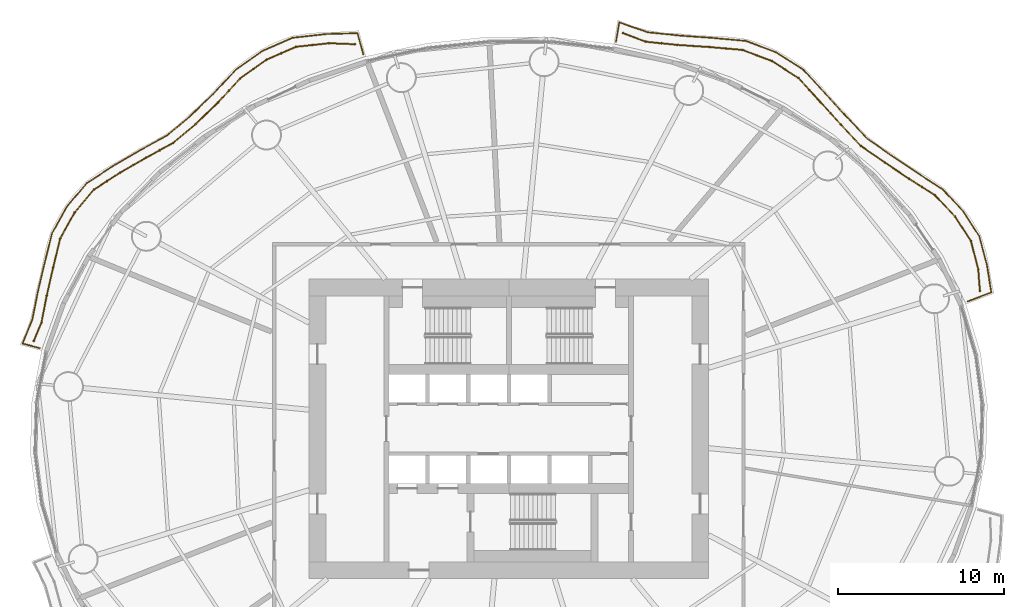
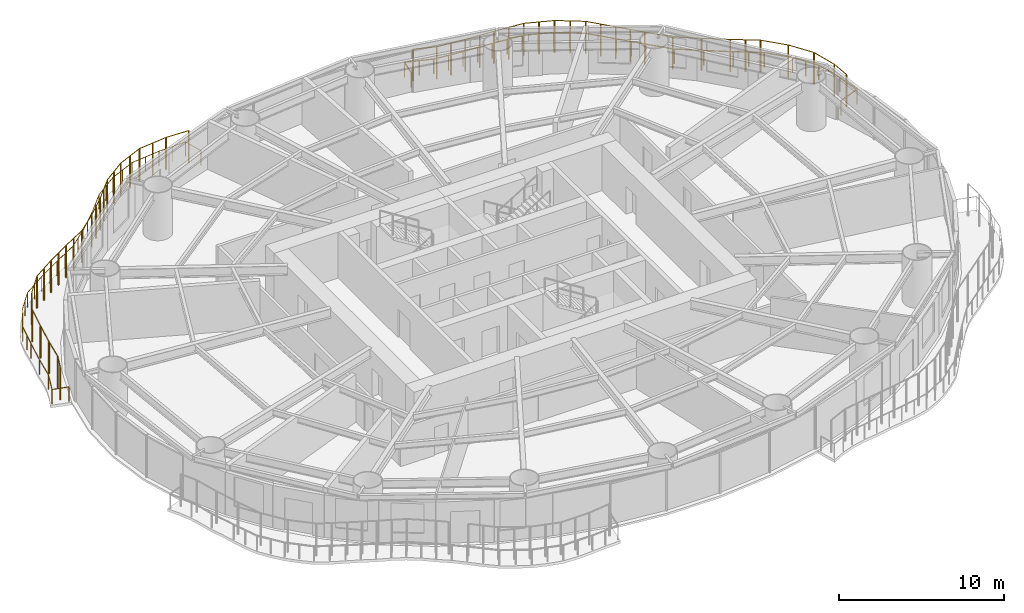
# One storey, part 16 of 16: 4 railings.
"""IFC4 building model written with IfcOpenShell, lengths in metres."""

from ifc_helpers import new_model, si_unit, direction, frame, origin, origin_2d, place, context, subcontext, project, spatial, circle, extrude, material, type_object, element, save


model = new_model("IFC4")

# Units and contexts
model_context = context("Model", 3, precision=1e-05, world=origin(), true_north=direction((0.0, 1.0)))
body_context = subcontext(model_context, "Body", "Model", "MODEL_VIEW")
ifc_project = project(units=[si_unit("LENGTHUNIT", "METRE"), si_unit("AREAUNIT", "SQUARE_METRE"), si_unit("VOLUMEUNIT", "CUBIC_METRE"), si_unit("PLANEANGLEUNIT", "RADIAN"), si_unit("MASSUNIT", "GRAM", prefix="KILO")], contexts=[model_context])

# Site, building, storey
site_placement = place(None, origin())
site = spatial("IfcSite", under=ifc_project, at=site_placement, CompositionType="ELEMENT")
building_placement = place(site_placement, origin())
building = spatial("IfcBuilding", under=site, at=building_placement, Name="Vermilion Reach Broadcast Tower", CompositionType="ELEMENT")
storey_placement = place(building_placement, frame((0.0, 0.0, 47.10009765625)))
storey = spatial("IfcBuildingStorey", under=building, at=storey_placement, Name="L08", CompositionType="ELEMENT", Elevation=47.10009765625)

# Railings
ifc_material_1 = material(Name="Terracotta baguette", Category="masonry")
railing_type_1 = type_object("IfcRailingType", Name="BAGUETTE SCREEN", PredefinedType="USERDEFINED", material=ifc_material_1)
railing_1_placement = place(storey_placement, frame((22.305419921875, 8.29638671875, 0.0)))
element("IfcRailing", 1, at=railing_1_placement, inside=storey, type_object=railing_type_1, Name="Baguette screen L08 group 1", ObjectType="BAGUETTE SCREEN", PredefinedType="USERDEFINED", context=body_context, shape_type="SweptSolid", body=[
    extrude(circle(Radius=0.030029296875, at=origin_2d()), frame((0.0, 0.0, 2.369873046875), z_axis=(-0.07565113169, 0.997134347154, 0.0), x_axis=(-0.997134347154, -0.07565113169, 0.0)), (0.0, 0.0, 1.0), 1.3037109375),
    extrude(circle(Radius=0.030029296875, at=origin_2d()), frame((-0.0986328125, 1.300048828125, 2.369873046875), z_axis=(-0.251957201458, 0.967738378196, 0.0), x_axis=(-0.967738378196, -0.251957201458, 0.0)), (0.0, 0.0, 1.0), 1.75390625),
    extrude(circle(Radius=0.030029296875, at=origin_2d()), frame((-0.54052734375, 2.997314453125, 2.369873046875), z_axis=(-0.544558475774, 0.838722878228, 0.0), x_axis=(-0.838722878228, -0.544558475774, 0.0)), (0.0, 0.0, 1.0), 1.757080078125),
    extrude(circle(Radius=0.030029296875, at=origin_2d()), frame((-1.497314453125, 4.470947265625, 2.369873046875), z_axis=(-0.686439750676, 0.727186680771, 0.0), x_axis=(-0.727186680771, -0.686439750676, 0.0)), (0.0, 0.0, 1.0), 1.755615234375),
    extrude(circle(Radius=0.030029296875, at=origin_2d()), frame((-2.702392578125, 5.74755859375, 2.369873046875), z_axis=(-0.842290708412, 0.539023526873, 0.0), x_axis=(-0.539023526873, -0.842290708412, 0.0)), (0.0, 0.0, 1.0), 1.837158203125),
    extrude(circle(Radius=0.030029296875, at=origin_2d()), frame((-4.249755859375, 6.73779296875, 2.369873046875), z_axis=(-0.83160133944, 0.555373038814, 0.0), x_axis=(-0.555373038814, -0.83160133944, 0.0)), (0.0, 0.0, 1.0), 1.758056640625),
    extrude(circle(Radius=0.030029296875, at=origin_2d()), frame((-5.711669921875, 7.714111328125, 2.369873046875), z_axis=(-0.821816627146, 0.569752078844, 0.0), x_axis=(-0.569752078844, -0.821816627146, 0.0)), (0.0, 0.0, 1.0), 1.756103515625),
    extrude(circle(Radius=0.030029296875, at=origin_2d()), frame((-7.15478515625, 8.714599609375, 2.369873046875), z_axis=(-0.684273345401, 0.729225608967, 0.0), x_axis=(-0.729225608967, -0.684273345401, 0.0)), (0.0, 0.0, 1.0), 1.759765625),
    extrude(circle(Radius=0.030029296875, at=origin_2d()), frame((-8.35888671875, 9.997802734375, 2.369873046875), z_axis=(-0.673282109169, 0.739385691959, 0.0), x_axis=(-0.739385691959, -0.673282109169, 0.0)), (0.0, 0.0, 1.0), 1.85400390625),
    extrude(circle(Radius=0.030029296875, at=origin_2d()), frame((-9.607177734375, 11.36865234375, 2.369873046875), z_axis=(-0.673669790905, 0.739032484281, 0.0), x_axis=(-0.739032484281, -0.673669790905, 0.0)), (0.0, 0.0, 1.0), 1.912353515625),
    extrude(circle(Radius=0.030029296875, at=origin_2d()), frame((-10.8955078125, 12.781982421875, 2.369873046875), z_axis=(-0.841011817802, 0.541016748647, 0.0), x_axis=(-0.541016748647, -0.841011817802, 0.0)), (0.0, 0.0, 1.0), 1.904296875),
    extrude(circle(Radius=0.030029296875, at=origin_2d()), frame((-12.4970703125, 13.812255859375, 2.369873046875), z_axis=(-0.935661063302, 0.352899949873, 0.0), x_axis=(-0.352899949873, -0.935661063302, 0.0)), (0.0, 0.0, 1.0), 1.89697265625),
    extrude(circle(Radius=0.030029296875, at=origin_2d()), frame((-14.27197265625, 14.481689453125, 2.369873046875), z_axis=(-0.996346350289, 0.085404626721, 0.0), x_axis=(-0.085404626721, -0.996346350289, 0.0)), (0.0, 0.0, 1.0), 1.98681640625),
    extrude(circle(Radius=0.030029296875, at=origin_2d()), frame((-16.25146484375, 14.6513671875, 2.369873046875), z_axis=(-0.99775152211, 0.067021639246, 0.0), x_axis=(-0.067021639246, -0.99775152211, 0.0)), (0.0, 0.0, 1.0), 1.934326171875),
    extrude(circle(Radius=0.030029296875, at=origin_2d()), frame((-18.181396484375, 14.781005859375, 2.369873046875), z_axis=(-0.994986411684, 0.100010202305, 0.0), x_axis=(-0.100010202305, -0.994986411684, 0.0)), (0.0, 0.0, 1.0), 1.908935546875),
    extrude(circle(Radius=0.030029296875, at=origin_2d()), frame((-20.080810546875, 14.971923828125, 2.369873046875), z_axis=(-0.935271265318, 0.35393171696, 0.0), x_axis=(-0.35393171696, -0.935271265318, 0.0)), (0.0, 0.0, 1.0), 1.456787109375),
    extrude(circle(Radius=0.050048828125, at=origin_2d()), origin(), (0.0, 0.0, 1.0), 2.33984375),
    extrude(circle(Radius=0.050048828125, at=origin_2d()), frame((-0.0986328125, 1.300048828125, 0.0)), (0.0, 0.0, 1.0), 2.33984375),
    extrude(circle(Radius=0.050048828125, at=origin_2d()), frame((-0.54052734375, 2.997314453125, 0.0)), (0.0, 0.0, 1.0), 2.33984375),
    extrude(circle(Radius=0.050048828125, at=origin_2d()), frame((-1.497314453125, 4.470947265625, 0.0)), (0.0, 0.0, 1.0), 2.33984375),
    extrude(circle(Radius=0.050048828125, at=origin_2d()), frame((-2.702392578125, 5.74755859375, 0.0)), (0.0, 0.0, 1.0), 2.33984375),
    extrude(circle(Radius=0.050048828125, at=origin_2d()), frame((-3.47607421875, 6.24267578125, 0.0)), (0.0, 0.0, 1.0), 2.33984375),
    extrude(circle(Radius=0.050048828125, at=origin_2d()), frame((-4.249755859375, 6.73779296875, 0.0)), (0.0, 0.0, 1.0), 2.33984375),
    extrude(circle(Radius=0.050048828125, at=origin_2d()), frame((-5.711669921875, 7.714111328125, 0.0)), (0.0, 0.0, 1.0), 2.33984375),
    extrude(circle(Radius=0.050048828125, at=origin_2d()), frame((-7.15478515625, 8.714599609375, 0.0)), (0.0, 0.0, 1.0), 2.33984375),
    extrude(circle(Radius=0.050048828125, at=origin_2d()), frame((-8.35888671875, 9.997802734375, 0.0)), (0.0, 0.0, 1.0), 2.33984375),
    extrude(circle(Radius=0.050048828125, at=origin_2d()), frame((-8.98291015625, 10.68310546875, 0.0)), (0.0, 0.0, 1.0), 2.33984375),
    extrude(circle(Radius=0.050048828125, at=origin_2d()), frame((-9.607177734375, 11.36865234375, 0.0)), (0.0, 0.0, 1.0), 2.33984375),
    extrude(circle(Radius=0.050048828125, at=origin_2d()), frame((-10.25146484375, 12.0751953125, 0.0)), (0.0, 0.0, 1.0), 2.33984375),
    extrude(circle(Radius=0.050048828125, at=origin_2d()), frame((-10.8955078125, 12.781982421875, 0.0)), (0.0, 0.0, 1.0), 2.33984375),
    extrude(circle(Radius=0.050048828125, at=origin_2d()), frame((-11.6962890625, 13.297119140625, 0.0)), (0.0, 0.0, 1.0), 2.33984375),
    extrude(circle(Radius=0.050048828125, at=origin_2d()), frame((-12.4970703125, 13.812255859375, 0.0)), (0.0, 0.0, 1.0), 2.33984375),
    extrude(circle(Radius=0.050048828125, at=origin_2d()), frame((-13.384521484375, 14.14697265625, 0.0)), (0.0, 0.0, 1.0), 2.33984375),
    extrude(circle(Radius=0.050048828125, at=origin_2d()), frame((-14.27197265625, 14.481689453125, 0.0)), (0.0, 0.0, 1.0), 2.33984375),
    extrude(circle(Radius=0.050048828125, at=origin_2d()), frame((-15.26171875, 14.56640625, 0.0)), (0.0, 0.0, 1.0), 2.33984375),
    extrude(circle(Radius=0.050048828125, at=origin_2d()), frame((-16.25146484375, 14.6513671875, 0.0)), (0.0, 0.0, 1.0), 2.33984375),
    extrude(circle(Radius=0.050048828125, at=origin_2d()), frame((-17.21630859375, 14.71630859375, 0.0)), (0.0, 0.0, 1.0), 2.33984375),
    extrude(circle(Radius=0.050048828125, at=origin_2d()), frame((-18.181396484375, 14.781005859375, 0.0)), (0.0, 0.0, 1.0), 2.33984375),
    extrude(circle(Radius=0.050048828125, at=origin_2d()), frame((-19.131103515625, 14.87646484375, 0.0)), (0.0, 0.0, 1.0), 2.33984375),
    extrude(circle(Radius=0.050048828125, at=origin_2d()), frame((-20.080810546875, 14.971923828125, 0.0)), (0.0, 0.0, 1.0), 2.33984375),
    extrude(circle(Radius=0.050048828125, at=origin_2d()), frame((-21.443359375, 15.487548828125, 0.0)), (0.0, 0.0, 1.0), 2.33984375),
])
railing_2_placement = place(storey_placement, frame((-15.253662109375, 23.118408203125, 0.0)))
element("IfcRailing", 2, at=railing_2_placement, inside=storey, type_object=railing_type_1, Name="Baguette screen L08 group 2", ObjectType="BAGUETTE SCREEN", PredefinedType="USERDEFINED", context=body_context, shape_type="SweptSolid", body=[
    extrude(circle(Radius=0.030029296875, at=origin_2d()), frame((0.0, 0.0, 2.369873046875), z_axis=(-0.999278984221, 0.037967245026, 0.0), x_axis=(-0.037967245026, -0.999278984221, 0.0)), (0.0, 0.0, 1.0), 1.5498046875),
    extrude(circle(Radius=0.030029296875, at=origin_2d()), frame((-1.548583984375, 0.058837890625, 2.369873046875), z_axis=(-0.99421373636, -0.10741995361, 0.0), x_axis=(0.10741995361, -0.99421373636, 0.0)), (0.0, 0.0, 1.0), 2.002197265625),
    extrude(circle(Radius=0.030029296875, at=origin_2d()), frame((-3.539306640625, -0.15625, 2.369873046875), z_axis=(-0.916058492301, -0.401044684147, 0.0), x_axis=(0.401044684147, -0.916058492301, 0.0)), (0.0, 0.0, 1.0), 1.927978515625),
    extrude(circle(Radius=0.030029296875, at=origin_2d()), frame((-5.305419921875, -0.929443359375, 2.369873046875), z_axis=(-0.815256799121, -0.579099604116, 0.0), x_axis=(0.579099604116, -0.815256799121, 0.0)), (0.0, 0.0, 1.0), 1.945556640625),
    extrude(circle(Radius=0.030029296875, at=origin_2d()), frame((-6.8916015625, -2.05615234375, 2.369873046875), z_axis=(-0.676948052664, -0.736030796906, 0.0), x_axis=(0.736030796906, -0.676948052664, 0.0)), (0.0, 0.0, 1.0), 1.950439453125),
    extrude(circle(Radius=0.030029296875, at=origin_2d()), frame((-8.2119140625, -3.49169921875, 2.369873046875), z_axis=(-0.719354149692, -0.694643510962, 0.0), x_axis=(0.694643510962, -0.719354149692, 0.0)), (0.0, 0.0, 1.0), 1.867431640625),
    extrude(circle(Radius=0.030029296875, at=origin_2d()), frame((-9.55517578125, -4.788818359375, 2.369873046875), z_axis=(-0.764673178307, -0.644418288364, 0.0), x_axis=(0.644418288364, -0.764673178307, 0.0)), (0.0, 0.0, 1.0), 1.782470703125),
    extrude(circle(Radius=0.030029296875, at=origin_2d()), frame((-10.918212890625, -5.9375, 2.369873046875), z_axis=(-0.879900937184, -0.475157174778, 0.0), x_axis=(0.475157174778, -0.879900937184, 0.0)), (0.0, 0.0, 1.0), 1.830810546875),
    extrude(circle(Radius=0.030029296875, at=origin_2d()), frame((-12.529052734375, -6.807373046875, 2.369873046875), z_axis=(-0.86560002542, -0.500736054217, 0.0), x_axis=(0.500736054217, -0.86560002542, 0.0)), (0.0, 0.0, 1.0), 1.827392578125),
    extrude(circle(Radius=0.030029296875, at=origin_2d()), frame((-14.11083984375, -7.722412109375, 2.369873046875), z_axis=(-0.8396576517, -0.54311603543, 0.0), x_axis=(0.54311603543, -0.8396576517, 0.0)), (0.0, 0.0, 1.0), 1.871337890625),
    extrude(circle(Radius=0.030029296875, at=origin_2d()), frame((-15.68212890625, -8.73876953125, 2.369873046875), z_axis=(-0.64460352781, -0.764517031815, 0.0), x_axis=(0.764517031815, -0.64460352781, 0.0)), (0.0, 0.0, 1.0), 1.783447265625),
    extrude(circle(Radius=0.030029296875, at=origin_2d()), frame((-16.831787109375, -10.102294921875, 2.369873046875), z_axis=(-0.486278889629, -0.873803663017, 0.0), x_axis=(0.873803663017, -0.486278889629, 0.0)), (0.0, 0.0, 1.0), 1.792236328125),
    extrude(circle(Radius=0.030029296875, at=origin_2d()), frame((-17.703369140625, -11.66845703125, 2.369873046875), z_axis=(-0.235650619185, -0.971837839188, 0.0), x_axis=(0.971837839188, -0.235650619185, 0.0)), (0.0, 0.0, 1.0), 1.79541015625),
    extrude(circle(Radius=0.030029296875, at=origin_2d()), frame((-18.12646484375, -13.413330078125, 2.369873046875), z_axis=(-0.22390472765, -0.97461103674, 0.0), x_axis=(0.97461103674, -0.22390472765, 0.0)), (0.0, 0.0, 1.0), 1.737060546875),
    extrude(circle(Radius=0.030029296875, at=origin_2d()), frame((-18.515380859375, -15.106201171875, 2.369873046875), z_axis=(-0.190743792262, -0.981639855402, 0.0), x_axis=(0.981639855402, -0.190743792262, 0.0)), (0.0, 0.0, 1.0), 1.661376953125),
    extrude(circle(Radius=0.030029296875, at=origin_2d()), frame((-18.832275390625, -16.737060546875, 2.369873046875), z_axis=(-0.389929530967, -0.920844699653, 0.0), x_axis=(0.920844699653, -0.389929530967, 0.0)), (0.0, 0.0, 1.0), 1.1826171875),
    extrude(circle(Radius=0.050048828125, at=origin_2d()), origin(), (0.0, 0.0, 1.0), 2.33984375),
    extrude(circle(Radius=0.050048828125, at=origin_2d()), frame((-1.548583984375, 0.058837890625, 0.0)), (0.0, 0.0, 1.0), 2.33984375),
    extrude(circle(Radius=0.050048828125, at=origin_2d()), frame((-2.5439453125, -0.048828125, 0.0)), (0.0, 0.0, 1.0), 2.33984375),
    extrude(circle(Radius=0.050048828125, at=origin_2d()), frame((-3.539306640625, -0.15625, 0.0)), (0.0, 0.0, 1.0), 2.33984375),
    extrude(circle(Radius=0.050048828125, at=origin_2d()), frame((-4.42236328125, -0.54296875, 0.0)), (0.0, 0.0, 1.0), 2.33984375),
    extrude(circle(Radius=0.050048828125, at=origin_2d()), frame((-5.305419921875, -0.929443359375, 0.0)), (0.0, 0.0, 1.0), 2.33984375),
    extrude(circle(Radius=0.050048828125, at=origin_2d()), frame((-6.0986328125, -1.49267578125, 0.0)), (0.0, 0.0, 1.0), 2.33984375),
    extrude(circle(Radius=0.050048828125, at=origin_2d()), frame((-6.8916015625, -2.05615234375, 0.0)), (0.0, 0.0, 1.0), 2.33984375),
    extrude(circle(Radius=0.050048828125, at=origin_2d()), frame((-7.5517578125, -2.77392578125, 0.0)), (0.0, 0.0, 1.0), 2.33984375),
    extrude(circle(Radius=0.050048828125, at=origin_2d()), frame((-8.2119140625, -3.49169921875, 0.0)), (0.0, 0.0, 1.0), 2.33984375),
    extrude(circle(Radius=0.050048828125, at=origin_2d()), frame((-8.883544921875, -4.14013671875, 0.0)), (0.0, 0.0, 1.0), 2.33984375),
    extrude(circle(Radius=0.050048828125, at=origin_2d()), frame((-9.55517578125, -4.788818359375, 0.0)), (0.0, 0.0, 1.0), 2.33984375),
    extrude(circle(Radius=0.050048828125, at=origin_2d()), frame((-10.918212890625, -5.9375, 0.0)), (0.0, 0.0, 1.0), 2.33984375),
    extrude(circle(Radius=0.050048828125, at=origin_2d()), frame((-11.7236328125, -6.37255859375, 0.0)), (0.0, 0.0, 1.0), 2.33984375),
    extrude(circle(Radius=0.050048828125, at=origin_2d()), frame((-12.529052734375, -6.807373046875, 0.0)), (0.0, 0.0, 1.0), 2.33984375),
    extrude(circle(Radius=0.050048828125, at=origin_2d()), frame((-13.31982421875, -7.264892578125, 0.0)), (0.0, 0.0, 1.0), 2.33984375),
    extrude(circle(Radius=0.050048828125, at=origin_2d()), frame((-14.11083984375, -7.722412109375, 0.0)), (0.0, 0.0, 1.0), 2.33984375),
    extrude(circle(Radius=0.050048828125, at=origin_2d()), frame((-14.896484375, -8.23046875, 0.0)), (0.0, 0.0, 1.0), 2.33984375),
    extrude(circle(Radius=0.050048828125, at=origin_2d()), frame((-15.68212890625, -8.73876953125, 0.0)), (0.0, 0.0, 1.0), 2.33984375),
    extrude(circle(Radius=0.050048828125, at=origin_2d()), frame((-16.831787109375, -10.102294921875, 0.0)), (0.0, 0.0, 1.0), 2.33984375),
    extrude(circle(Radius=0.050048828125, at=origin_2d()), frame((-17.703369140625, -11.66845703125, 0.0)), (0.0, 0.0, 1.0), 2.33984375),
    extrude(circle(Radius=0.050048828125, at=origin_2d()), frame((-18.12646484375, -13.413330078125, 0.0)), (0.0, 0.0, 1.0), 2.33984375),
    extrude(circle(Radius=0.050048828125, at=origin_2d()), frame((-18.515380859375, -15.106201171875, 0.0)), (0.0, 0.0, 1.0), 2.33984375),
    extrude(circle(Radius=0.050048828125, at=origin_2d()), frame((-18.832275390625, -16.737060546875, 0.0)), (0.0, 0.0, 1.0), 2.33984375),
    extrude(circle(Radius=0.050048828125, at=origin_2d()), frame((-19.29345703125, -17.826171875, 0.0)), (0.0, 0.0, 1.0), 2.33984375),
])
ifc_material_2 = material(Name="Stainless steel 316 balustrade", Category="steel")
railing_type_2 = type_object("IfcRailingType", Name="Balcony guard 1100", PredefinedType="BALUSTRADE", material=ifc_material_2)
railing_3_placement = place(storey_placement, frame((21.560302734375, 7.658935546875, 0.0)))
element("IfcRailing", 3, at=railing_3_placement, inside=storey, type_object=railing_type_2, Name="Balcony guard L08 group 1", PredefinedType="BALUSTRADE", context=body_context, shape_type="SweptSolid", body=[
    extrude(circle(Radius=0.02490234375, at=origin_2d()), frame((0.0, 0.0, 1.0751953125), z_axis=(0.933879438133, 0.357588024174, 0.0), x_axis=(-0.357588024174, 0.933879438133, 0.0)), (0.0, 0.0, 1.0), 1.529296875),
    extrude(circle(Radius=0.02490234375, at=origin_2d()), frame((1.42822265625, 0.546875, 1.0751953125), z_axis=(-0.15537321549, 0.987855841663, 0.0), x_axis=(-0.987855841663, -0.15537321549, 0.0)), (0.0, 0.0, 1.0), 1.659423828125),
    extrude(circle(Radius=0.02490234375, at=origin_2d()), frame((1.17041015625, 2.18603515625, 1.0751953125), z_axis=(-0.257028105323, 0.966403928528, 0.0), x_axis=(-0.966403928528, -0.257028105323, 0.0)), (0.0, 0.0, 1.0), 1.796142578125),
    extrude(circle(Radius=0.02490234375, at=origin_2d()), frame((0.708740234375, 3.921875, 1.0751953125), z_axis=(-0.544139502674, 0.838994756616, 0.0), x_axis=(-0.838994756616, -0.544139502674, 0.0)), (0.0, 0.0, 1.0), 1.800048828125),
    extrude(circle(Radius=0.02490234375, at=origin_2d()), frame((-0.270751953125, 5.43212890625, 1.0751953125), z_axis=(-0.684397577183, 0.729109015406, 0.0), x_axis=(-0.729109015406, -0.684397577183, 0.0)), (0.0, 0.0, 1.0), 1.79638671875),
    extrude(circle(Radius=0.02490234375, at=origin_2d()), frame((-1.500244140625, 6.741943359375, 1.0751953125), z_axis=(-0.838713989017, 0.544572166593, 0.0), x_axis=(-0.544572166593, -0.838713989017, 0.0)), (0.0, 0.0, 1.0), 1.876708984375),
    extrude(circle(Radius=0.02490234375, at=origin_2d()), frame((-3.07421875, 7.763916015625, 1.0751953125), z_axis=(-0.828963682025, 0.559302435077, 0.0), x_axis=(-0.559302435077, -0.828963682025, 0.0)), (0.0, 0.0, 1.0), 1.796142578125),
    extrude(circle(Radius=0.02490234375, at=origin_2d()), frame((-4.563232421875, 8.7685546875, 1.0751953125), z_axis=(-0.820253115955, 0.572000721823, 0.0), x_axis=(-0.572000721823, -0.820253115955, 0.0)), (0.0, 0.0, 1.0), 1.794677734375),
    extrude(circle(Radius=0.02490234375, at=origin_2d()), frame((-6.035400390625, 9.795166015625, 1.0751953125), z_axis=(-0.686499828404, 0.727129964725, 0.0), x_axis=(-0.727129964725, -0.686499828404, 0.0)), (0.0, 0.0, 1.0), 1.796630859375),
    extrude(circle(Radius=0.02490234375, at=origin_2d()), frame((-7.268798828125, 11.1015625, 1.0751953125), z_axis=(-0.676642322258, 0.736311868524, 0.0), x_axis=(-0.736311868524, -0.676642322258, 0.0)), (0.0, 0.0, 1.0), 1.890380859375),
    extrude(circle(Radius=0.02490234375, at=origin_2d()), frame((-8.5478515625, 12.493408203125, 1.0751953125), z_axis=(-0.677472182983, 0.73554839493, 0.0), x_axis=(-0.73554839493, -0.677472182983, 0.0)), (0.0, 0.0, 1.0), 1.9462890625),
    extrude(circle(Radius=0.02490234375, at=origin_2d()), frame((-9.866455078125, 13.925048828125, 1.0751953125), z_axis=(-0.841889404004, 0.539650100922, 0.0), x_axis=(-0.539650100922, -0.841889404004, 0.0)), (0.0, 0.0, 1.0), 1.939453125),
    extrude(circle(Radius=0.02490234375, at=origin_2d()), frame((-11.499267578125, 14.9716796875, 1.0751953125), z_axis=(-0.93528060185, 0.353907044015, 0.0), x_axis=(-0.353907044015, -0.93528060185, 0.0)), (0.0, 0.0, 1.0), 1.930908203125),
    extrude(circle(Radius=0.02490234375, at=origin_2d()), frame((-13.30517578125, 15.655029296875, 1.0751953125), z_axis=(-0.995935706815, 0.090067018885, 0.0), x_axis=(-0.090067018885, -0.995935706815, 0.0)), (0.0, 0.0, 1.0), 2.01953125),
    extrude(circle(Radius=0.02490234375, at=origin_2d()), frame((-15.31640625, 15.8369140625, 1.0751953125), z_axis=(-0.997482598606, 0.07091167378, 0.0), x_axis=(-0.07091167378, -0.997482598606, 0.0)), (0.0, 0.0, 1.0), 1.9658203125),
    extrude(circle(Radius=0.02490234375, at=origin_2d()), frame((-17.27734375, 15.976318359375, 1.0751953125), z_axis=(-0.994733875728, 0.102491543454, 0.0), x_axis=(-0.102491543454, -0.994733875728, 0.0)), (0.0, 0.0, 1.0), 1.94140625),
    extrude(circle(Radius=0.02490234375, at=origin_2d()), frame((-19.20849609375, 16.17529296875, 1.0751953125), z_axis=(-0.944976481521, 0.327138272558, 0.0), x_axis=(-0.327138272558, -0.944976481521, 0.0)), (0.0, 0.0, 1.0), 1.815673828125),
    extrude(circle(Radius=0.02490234375, at=origin_2d()), frame((-20.92431640625, 16.769287109375, 1.0751953125), z_axis=(-0.165367368304, -0.986232038366, 0.0), x_axis=(0.986232038366, -0.165367368304, 0.0)), (0.0, 0.0, 1.0), 1.185546875),
    extrude(circle(Radius=0.02490234375, at=origin_2d()), origin(), (0.0, 0.0, 1.0), 1.050048828125),
    extrude(circle(Radius=0.02490234375, at=origin_2d()), frame((1.42822265625, 0.546875, 0.0)), (0.0, 0.0, 1.0), 1.050048828125),
    extrude(circle(Radius=0.02490234375, at=origin_2d()), frame((1.17041015625, 2.18603515625, 0.0)), (0.0, 0.0, 1.0), 1.050048828125),
    extrude(circle(Radius=0.02490234375, at=origin_2d()), frame((0.708740234375, 3.921875, 0.0)), (0.0, 0.0, 1.0), 1.050048828125),
    extrude(circle(Radius=0.02490234375, at=origin_2d()), frame((0.218994140625, 4.677001953125, 0.0)), (0.0, 0.0, 1.0), 1.050048828125),
    extrude(circle(Radius=0.02490234375, at=origin_2d()), frame((-0.270751953125, 5.43212890625, 0.0)), (0.0, 0.0, 1.0), 1.050048828125),
    extrude(circle(Radius=0.02490234375, at=origin_2d()), frame((-1.500244140625, 6.741943359375, 0.0)), (0.0, 0.0, 1.0), 1.050048828125),
    extrude(circle(Radius=0.02490234375, at=origin_2d()), frame((-2.287109375, 7.2529296875, 0.0)), (0.0, 0.0, 1.0), 1.050048828125),
    extrude(circle(Radius=0.02490234375, at=origin_2d()), frame((-3.07421875, 7.763916015625, 0.0)), (0.0, 0.0, 1.0), 1.050048828125),
    extrude(circle(Radius=0.02490234375, at=origin_2d()), frame((-4.563232421875, 8.7685546875, 0.0)), (0.0, 0.0, 1.0), 1.050048828125),
    extrude(circle(Radius=0.02490234375, at=origin_2d()), frame((-6.035400390625, 9.795166015625, 0.0)), (0.0, 0.0, 1.0), 1.050048828125),
    extrude(circle(Radius=0.02490234375, at=origin_2d()), frame((-7.268798828125, 11.1015625, 0.0)), (0.0, 0.0, 1.0), 1.050048828125),
    extrude(circle(Radius=0.02490234375, at=origin_2d()), frame((-7.908203125, 11.79736328125, 0.0)), (0.0, 0.0, 1.0), 1.050048828125),
    extrude(circle(Radius=0.02490234375, at=origin_2d()), frame((-8.5478515625, 12.493408203125, 0.0)), (0.0, 0.0, 1.0), 1.050048828125),
    extrude(circle(Radius=0.02490234375, at=origin_2d()), frame((-9.20703125, 13.209228515625, 0.0)), (0.0, 0.0, 1.0), 1.050048828125),
    extrude(circle(Radius=0.02490234375, at=origin_2d()), frame((-9.866455078125, 13.925048828125, 0.0)), (0.0, 0.0, 1.0), 1.050048828125),
    extrude(circle(Radius=0.02490234375, at=origin_2d()), frame((-10.682861328125, 14.4482421875, 0.0)), (0.0, 0.0, 1.0), 1.050048828125),
    extrude(circle(Radius=0.02490234375, at=origin_2d()), frame((-11.499267578125, 14.9716796875, 0.0)), (0.0, 0.0, 1.0), 1.050048828125),
    extrude(circle(Radius=0.02490234375, at=origin_2d()), frame((-12.40234375, 15.3134765625, 0.0)), (0.0, 0.0, 1.0), 1.050048828125),
    extrude(circle(Radius=0.02490234375, at=origin_2d()), frame((-13.30517578125, 15.655029296875, 0.0)), (0.0, 0.0, 1.0), 1.050048828125),
    extrude(circle(Radius=0.02490234375, at=origin_2d()), frame((-14.310791015625, 15.74609375, 0.0)), (0.0, 0.0, 1.0), 1.050048828125),
    extrude(circle(Radius=0.02490234375, at=origin_2d()), frame((-15.31640625, 15.8369140625, 0.0)), (0.0, 0.0, 1.0), 1.050048828125),
    extrude(circle(Radius=0.02490234375, at=origin_2d()), frame((-16.296875, 15.90673828125, 0.0)), (0.0, 0.0, 1.0), 1.050048828125),
    extrude(circle(Radius=0.02490234375, at=origin_2d()), frame((-17.27734375, 15.976318359375, 0.0)), (0.0, 0.0, 1.0), 1.050048828125),
    extrude(circle(Radius=0.02490234375, at=origin_2d()), frame((-18.242919921875, 16.07568359375, 0.0)), (0.0, 0.0, 1.0), 1.050048828125),
    extrude(circle(Radius=0.02490234375, at=origin_2d()), frame((-19.20849609375, 16.17529296875, 0.0)), (0.0, 0.0, 1.0), 1.050048828125),
    extrude(circle(Radius=0.02490234375, at=origin_2d()), frame((-20.06640625, 16.47216796875, 0.0)), (0.0, 0.0, 1.0), 1.050048828125),
    extrude(circle(Radius=0.02490234375, at=origin_2d()), frame((-20.92431640625, 16.769287109375, 0.0)), (0.0, 0.0, 1.0), 1.050048828125),
    extrude(circle(Radius=0.02490234375, at=origin_2d()), frame((-21.120361328125, 15.60009765625, 0.0)), (0.0, 0.0, 1.0), 1.050048828125),
])
railing_4_placement = place(storey_placement, frame((-14.74169921875, 22.495361328125, 0.0)))
element("IfcRailing", 4, at=railing_4_placement, inside=storey, type_object=railing_type_2, Name="Balcony guard L08 group 2", PredefinedType="BALUSTRADE", context=body_context, shape_type="SweptSolid", body=[
    extrude(circle(Radius=0.02490234375, at=origin_2d()), frame((0.0, 0.0, 1.0751953125), z_axis=(-0.263535490274, 0.964649700858, 0.0), x_axis=(-0.964649700858, -0.263535490274, 0.0)), (0.0, 0.0, 1.0), 1.333984375),
    extrude(circle(Radius=0.02490234375, at=origin_2d()), frame((-0.3515625, 1.286865234375, 1.0751953125), z_axis=(-0.999582670932, -0.028887436239, 0.0), x_axis=(0.028887436239, -0.999582670932, 0.0)), (0.0, 0.0, 1.0), 1.89306640625),
    extrude(circle(Radius=0.02490234375, at=origin_2d()), frame((-2.243896484375, 1.232177734375, 1.0751953125), z_axis=(-0.993791175313, -0.111261403323, 0.0), x_axis=(0.111261403323, -0.993791175313, 0.0)), (0.0, 0.0, 1.0), 2.0341796875),
    extrude(circle(Radius=0.02490234375, at=origin_2d()), frame((-4.265380859375, 1.005859375, 1.0751953125), z_axis=(-0.916077287781, -0.401001749138, 0.0), x_axis=(0.401001749138, -0.916077287781, 0.0)), (0.0, 0.0, 1.0), 1.96044921875),
    extrude(circle(Radius=0.02490234375, at=origin_2d()), frame((-6.061279296875, 0.2197265625, 1.0751953125), z_axis=(-0.816814004616, -0.576901102324, 0.0), x_axis=(0.576901102324, -0.816814004616, 0.0)), (0.0, 0.0, 1.0), 1.979248046875),
    extrude(circle(Radius=0.02490234375, at=origin_2d()), frame((-7.677978515625, -0.922119140625, 1.0751953125), z_axis=(-0.6807108287, -0.732552228643, 0.0), x_axis=(0.732552228643, -0.6807108287, 0.0)), (0.0, 0.0, 1.0), 1.982666015625),
    extrude(circle(Radius=0.02490234375, at=origin_2d()), frame((-9.027587890625, -2.37451171875, 1.0751953125), z_axis=(-0.721712979204, -0.692192441196, 0.0), x_axis=(0.692192441196, -0.721712979204, 0.0)), (0.0, 0.0, 1.0), 1.902099609375),
    extrude(circle(Radius=0.02490234375, at=origin_2d()), frame((-10.400390625, -3.691162109375, 1.0751953125), z_axis=(-0.765440255648, -0.643506965801, 0.0), x_axis=(0.643506965801, -0.765440255648, 0.0)), (0.0, 0.0, 1.0), 1.818115234375),
    extrude(circle(Radius=0.02490234375, at=origin_2d()), frame((-11.7919921875, -4.861083984375, 1.0751953125), z_axis=(-0.877905566924, -0.478833807875, 0.0), x_axis=(0.478833807875, -0.877905566924, 0.0)), (0.0, 0.0, 1.0), 1.8671875),
    extrude(circle(Radius=0.02490234375, at=origin_2d()), frame((-13.43115234375, -5.755126953125, 1.0751953125), z_axis=(-0.863150971236, -0.504945938546, 0.0), x_axis=(0.504945938546, -0.863150971236, 0.0)), (0.0, 0.0, 1.0), 1.863525390625),
    extrude(circle(Radius=0.02490234375, at=origin_2d()), frame((-15.03955078125, -6.696044921875, 1.0751953125), z_axis=(-0.836780343055, -0.54753872692, 0.0), x_axis=(0.54753872692, -0.836780343055, 0.0)), (0.0, 0.0, 1.0), 1.9091796875),
    extrude(circle(Radius=0.02490234375, at=origin_2d()), frame((-16.63720703125, -7.741455078125, 1.0751953125), z_axis=(-0.644036742515, -0.764994558341, 0.0), x_axis=(0.764994558341, -0.644036742515, 0.0)), (0.0, 0.0, 1.0), 1.822509765625),
    extrude(circle(Radius=0.02490234375, at=origin_2d()), frame((-17.81103515625, -9.1357421875, 1.0751953125), z_axis=(-0.488116763264, -0.872778336933, 0.0), x_axis=(0.872778336933, -0.488116763264, 0.0)), (0.0, 0.0, 1.0), 1.83349609375),
    extrude(circle(Radius=0.02490234375, at=origin_2d()), frame((-18.7060546875, -10.736083984375, 1.0751953125), z_axis=(-0.241878164129, -0.970306628709, 0.0), x_axis=(0.970306628709, -0.241878164129, 0.0)), (0.0, 0.0, 1.0), 1.8349609375),
    extrude(circle(Radius=0.02490234375, at=origin_2d()), frame((-19.14990234375, -12.5166015625, 1.0751953125), z_axis=(-0.229177013119, -0.973384762906, 0.0), x_axis=(0.973384762906, -0.229177013119, 0.0)), (0.0, 0.0, 1.0), 1.779052734375),
    extrude(circle(Radius=0.02490234375, at=origin_2d()), frame((-19.5576171875, -14.248291015625, 1.0751953125), z_axis=(-0.195454727817, -0.980712725203, 0.0), x_axis=(0.980712725203, -0.195454727817, 0.0)), (0.0, 0.0, 1.0), 1.703857421875),
    extrude(circle(Radius=0.02490234375, at=origin_2d()), frame((-19.890625, -15.919189453125, 1.0751953125), z_axis=(-0.375981687125, -0.92662709379, 0.0), x_axis=(0.92662709379, -0.375981687125, 0.0)), (0.0, 0.0, 1.0), 1.55712890625),
    extrude(circle(Radius=0.02490234375, at=origin_2d()), frame((-20.47607421875, -17.362060546875, 1.0751953125), z_axis=(0.965064715358, -0.262011631747, 0.0), x_axis=(0.262011631747, 0.965064715358, 0.0)), (0.0, 0.0, 1.0), 1.06494140625),
    extrude(circle(Radius=0.02490234375, at=origin_2d()), origin(), (0.0, 0.0, 1.0), 1.050048828125),
    extrude(circle(Radius=0.02490234375, at=origin_2d()), frame((-0.3515625, 1.286865234375, 0.0)), (0.0, 0.0, 1.0), 1.050048828125),
    extrude(circle(Radius=0.02490234375, at=origin_2d()), frame((-1.2978515625, 1.259521484375, 0.0)), (0.0, 0.0, 1.0), 1.050048828125),
    extrude(circle(Radius=0.02490234375, at=origin_2d()), frame((-2.243896484375, 1.232177734375, 0.0)), (0.0, 0.0, 1.0), 1.050048828125),
    extrude(circle(Radius=0.02490234375, at=origin_2d()), frame((-3.254638671875, 1.119140625, 0.0)), (0.0, 0.0, 1.0), 1.050048828125),
    extrude(circle(Radius=0.02490234375, at=origin_2d()), frame((-4.265380859375, 1.005859375, 0.0)), (0.0, 0.0, 1.0), 1.050048828125),
    extrude(circle(Radius=0.02490234375, at=origin_2d()), frame((-5.163330078125, 0.61279296875, 0.0)), (0.0, 0.0, 1.0), 1.050048828125),
    extrude(circle(Radius=0.02490234375, at=origin_2d()), frame((-6.061279296875, 0.2197265625, 0.0)), (0.0, 0.0, 1.0), 1.050048828125),
    extrude(circle(Radius=0.02490234375, at=origin_2d()), frame((-6.86962890625, -0.35107421875, 0.0)), (0.0, 0.0, 1.0), 1.050048828125),
    extrude(circle(Radius=0.02490234375, at=origin_2d()), frame((-7.677978515625, -0.922119140625, 0.0)), (0.0, 0.0, 1.0), 1.050048828125),
    extrude(circle(Radius=0.02490234375, at=origin_2d()), frame((-8.352783203125, -1.6484375, 0.0)), (0.0, 0.0, 1.0), 1.050048828125),
    extrude(circle(Radius=0.02490234375, at=origin_2d()), frame((-9.027587890625, -2.37451171875, 0.0)), (0.0, 0.0, 1.0), 1.050048828125),
    extrude(circle(Radius=0.02490234375, at=origin_2d()), frame((-9.7138671875, -3.03271484375, 0.0)), (0.0, 0.0, 1.0), 1.050048828125),
    extrude(circle(Radius=0.02490234375, at=origin_2d()), frame((-10.400390625, -3.691162109375, 0.0)), (0.0, 0.0, 1.0), 1.050048828125),
    extrude(circle(Radius=0.02490234375, at=origin_2d()), frame((-11.09619140625, -4.276123046875, 0.0)), (0.0, 0.0, 1.0), 1.050048828125),
    extrude(circle(Radius=0.02490234375, at=origin_2d()), frame((-11.7919921875, -4.861083984375, 0.0)), (0.0, 0.0, 1.0), 1.050048828125),
    extrude(circle(Radius=0.02490234375, at=origin_2d()), frame((-12.611572265625, -5.30810546875, 0.0)), (0.0, 0.0, 1.0), 1.050048828125),
    extrude(circle(Radius=0.02490234375, at=origin_2d()), frame((-13.43115234375, -5.755126953125, 0.0)), (0.0, 0.0, 1.0), 1.050048828125),
    extrude(circle(Radius=0.02490234375, at=origin_2d()), frame((-14.2353515625, -6.2255859375, 0.0)), (0.0, 0.0, 1.0), 1.050048828125),
    extrude(circle(Radius=0.02490234375, at=origin_2d()), frame((-15.03955078125, -6.696044921875, 0.0)), (0.0, 0.0, 1.0), 1.050048828125),
    extrude(circle(Radius=0.02490234375, at=origin_2d()), frame((-15.83837890625, -7.21875, 0.0)), (0.0, 0.0, 1.0), 1.050048828125),
    extrude(circle(Radius=0.02490234375, at=origin_2d()), frame((-16.63720703125, -7.741455078125, 0.0)), (0.0, 0.0, 1.0), 1.050048828125),
    extrude(circle(Radius=0.02490234375, at=origin_2d()), frame((-17.22412109375, -8.4384765625, 0.0)), (0.0, 0.0, 1.0), 1.050048828125),
    extrude(circle(Radius=0.02490234375, at=origin_2d()), frame((-17.81103515625, -9.1357421875, 0.0)), (0.0, 0.0, 1.0), 1.050048828125),
    extrude(circle(Radius=0.02490234375, at=origin_2d()), frame((-18.258544921875, -9.93603515625, 0.0)), (0.0, 0.0, 1.0), 1.050048828125),
    extrude(circle(Radius=0.02490234375, at=origin_2d()), frame((-18.7060546875, -10.736083984375, 0.0)), (0.0, 0.0, 1.0), 1.050048828125),
    extrude(circle(Radius=0.02490234375, at=origin_2d()), frame((-18.927978515625, -11.62646484375, 0.0)), (0.0, 0.0, 1.0), 1.050048828125),
    extrude(circle(Radius=0.02490234375, at=origin_2d()), frame((-19.14990234375, -12.5166015625, 0.0)), (0.0, 0.0, 1.0), 1.050048828125),
    extrude(circle(Radius=0.02490234375, at=origin_2d()), frame((-19.5576171875, -14.248291015625, 0.0)), (0.0, 0.0, 1.0), 1.050048828125),
    extrude(circle(Radius=0.02490234375, at=origin_2d()), frame((-19.890625, -15.919189453125, 0.0)), (0.0, 0.0, 1.0), 1.050048828125),
    extrude(circle(Radius=0.02490234375, at=origin_2d()), frame((-20.47607421875, -17.362060546875, 0.0)), (0.0, 0.0, 1.0), 1.050048828125),
    extrude(circle(Radius=0.02490234375, at=origin_2d()), frame((-19.4482421875, -17.64111328125, 0.0)), (0.0, 0.0, 1.0), 1.050048828125),
])

save(model, "model.ifc")
